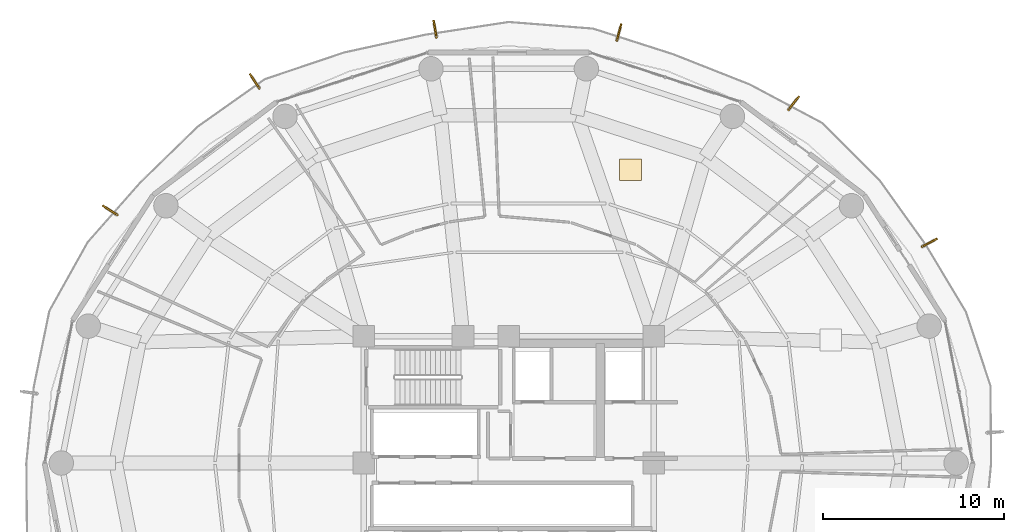
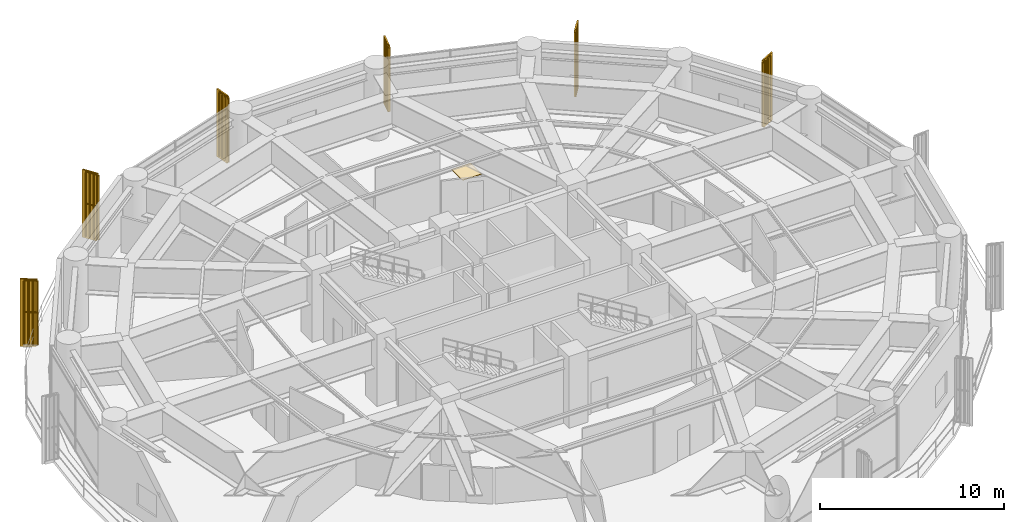
# One storey, part 34 of 34: 6 railings, 6 shading devices, 1 covering.
"""IFC4 building model written with IfcOpenShell, lengths in metres."""

from ifc_helpers import new_model, si_unit, direction, frame, origin, origin_2d, place, context, subcontext, project, spatial, polyline, rectangle, outline, extrude, source, transform, mapped, material, layer, layer_set, type_object, element, save


model = new_model("IFC4")

# Units and contexts
model_context = context("Model", 3, precision=1e-05, world=origin(), true_north=direction((0.0, 1.0)))
body_context = subcontext(model_context, "Body", "Model", "MODEL_VIEW")
ifc_project = project(units=[si_unit("LENGTHUNIT", "METRE"), si_unit("AREAUNIT", "SQUARE_METRE"), si_unit("VOLUMEUNIT", "CUBIC_METRE"), si_unit("PLANEANGLEUNIT", "RADIAN"), si_unit("MASSUNIT", "GRAM", prefix="KILO")], contexts=[model_context])

# Site, building, storey
site_placement = place(None, origin())
site = spatial("IfcSite", under=ifc_project, at=site_placement, CompositionType="ELEMENT")
building_placement = place(site_placement, origin())
building = spatial("IfcBuilding", under=site, at=building_placement, Name="Kelanora Arch Commons", CompositionType="ELEMENT")
storey_placement = place(building_placement, frame((0.0, 0.0, 125.10009765625)))
storey = spatial("IfcBuildingStorey", under=building, at=storey_placement, Name="L32", CompositionType="ELEMENT", Elevation=125.10009765625)

# Railings
ifc_material_1 = material(Name="Anodised bronze vertical shading fin rib assembly")
railing_type = type_object("IfcRailingType", Name="RAIL-FIN-BRZ", PredefinedType="BALUSTRADE", material=ifc_material_1)
railing_1_placement = place(storey_placement, frame((96.8046875, 69.938720703125, -0.02001953125)))
element("IfcRailing", 1, at=railing_1_placement, inside=storey, type_object=railing_type, Name="Sweeping Bronze Vertical Fin Blade L32-00", PredefinedType="BALUSTRADE", context=body_context, shape_type="SweptSolid", body=[
    extrude(outline(polyline([(0.06982421875, 0.0), (0.034912109375, 0.060546875), (-0.034912109375, 0.060546875), (-0.06982421875, 0.0), (-0.034912109375, -0.060546875), (0.034912109375, -0.060546875), (0.06982421875, 0.0)])), frame((0.0, 0.0, 4.2900390625), z_axis=(0.885910072426, 0.463857029239, 0.0), x_axis=(-0.463857029239, 0.885910072426, 0.0)), (0.0, 0.0, 1.0), 0.72998046875),
    extrude(outline(polyline([(0.06982421875, 0.0), (0.034912109375, 0.060546875), (-0.034912109375, 0.060546875), (-0.06982421875, 0.0), (-0.034912109375, -0.060546875), (0.034912109375, -0.060546875), (0.06982421875, 0.0)])), frame((0.0, 0.0, 2.18017578125), z_axis=(0.885910072426, 0.463857029239, 0.0), x_axis=(-0.463857029239, 0.885910072426, 0.0)), (0.0, 0.0, 1.0), 0.72998046875),
    extrude(outline(polyline([(0.080078125, 0.0), (0.0400390625, 0.0693359375), (-0.0400390625, 0.0693359375), (-0.080078125, 0.0), (-0.0400390625, -0.0693359375), (0.0400390625, -0.0693359375), (0.080078125, 0.0)])), origin(), (0.0, 0.0, 1.0), 4.22021484375),
    extrude(outline(polyline([(0.080078125, 0.0), (0.0400390625, 0.0693359375), (-0.0400390625, 0.0693359375), (-0.080078125, 0.0), (-0.0400390625, -0.0693359375), (0.0400390625, -0.0693359375), (0.080078125, 0.0)])), frame((0.215576171875, 0.11279296875, 0.0)), (0.0, 0.0, 1.0), 4.22021484375),
    extrude(outline(polyline([(0.080078125, 0.0), (0.0400390625, 0.0693359375), (-0.0400390625, 0.0693359375), (-0.080078125, 0.0), (-0.0400390625, -0.0693359375), (0.0400390625, -0.0693359375), (0.080078125, 0.0)])), frame((0.43115234375, 0.225830078125, 0.0)), (0.0, 0.0, 1.0), 4.22021484375),
    extrude(outline(polyline([(0.080078125, 0.0), (0.0400390625, 0.0693359375), (-0.0400390625, 0.0693359375), (-0.080078125, 0.0), (-0.0400390625, -0.0693359375), (0.0400390625, -0.0693359375), (0.080078125, 0.0)])), frame((0.646728515625, 0.338623046875, 0.0)), (0.0, 0.0, 1.0), 4.22021484375),
])
railing_2_placement = place(storey_placement, frame((89.437255859375, 77.5, -0.02001953125)))
element("IfcRailing", 2, at=railing_2_placement, inside=storey, type_object=railing_type, Name="Sweeping Bronze Vertical Fin Blade L32-01", PredefinedType="BALUSTRADE", context=body_context, shape_type="SweptSolid", body=[
    extrude(outline(polyline([(0.06982421875, 0.0), (0.034912109375, 0.060546875), (-0.034912109375, 0.060546875), (-0.06982421875, 0.0), (-0.034912109375, -0.060546875), (0.034912109375, -0.060546875), (0.06982421875, 0.0)])), frame((0.0, 0.0, 4.2900390625), z_axis=(0.620608728314, 0.784120402961, 0.0), x_axis=(-0.784120402961, 0.620608728314, 0.0)), (0.0, 0.0, 1.0), 0.730224609375),
    extrude(outline(polyline([(0.06982421875, 0.0), (0.034912109375, 0.060546875), (-0.034912109375, 0.060546875), (-0.06982421875, 0.0), (-0.034912109375, -0.060546875), (0.034912109375, -0.060546875), (0.06982421875, 0.0)])), frame((0.0, 0.0, 2.18017578125), z_axis=(0.620608728314, 0.784120402961, 0.0), x_axis=(-0.784120402961, 0.620608728314, 0.0)), (0.0, 0.0, 1.0), 0.730224609375),
    extrude(outline(polyline([(0.080078125, 0.0), (0.0400390625, 0.0693359375), (-0.0400390625, 0.0693359375), (-0.080078125, 0.0), (-0.0400390625, -0.0693359375), (0.0400390625, -0.0693359375), (0.080078125, 0.0)])), origin(), (0.0, 0.0, 1.0), 4.22021484375),
    extrude(outline(polyline([(0.080078125, 0.0), (0.0400390625, 0.0693359375), (-0.0400390625, 0.0693359375), (-0.080078125, 0.0), (-0.0400390625, -0.0693359375), (0.0400390625, -0.0693359375), (0.080078125, 0.0)])), frame((0.151123046875, 0.19091796875, 0.0)), (0.0, 0.0, 1.0), 4.22021484375),
    extrude(outline(polyline([(0.080078125, 0.0), (0.0400390625, 0.0693359375), (-0.0400390625, 0.0693359375), (-0.080078125, 0.0), (-0.0400390625, -0.0693359375), (0.0400390625, -0.0693359375), (0.080078125, 0.0)])), frame((0.302001953125, 0.381591796875, 0.0)), (0.0, 0.0, 1.0), 4.22021484375),
    extrude(outline(polyline([(0.080078125, 0.0), (0.0400390625, 0.0693359375), (-0.0400390625, 0.0693359375), (-0.080078125, 0.0), (-0.0400390625, -0.0693359375), (0.0400390625, -0.0693359375), (0.080078125, 0.0)])), frame((0.453125, 0.572509765625, 0.0)), (0.0, 0.0, 1.0), 4.22021484375),
])
railing_3_placement = place(storey_placement, frame((79.97119140625, 81.312255859375, -0.02001953125)))
element("IfcRailing", 3, at=railing_3_placement, inside=storey, type_object=railing_type, Name="Sweeping Bronze Vertical Fin Blade L32-02", PredefinedType="BALUSTRADE", context=body_context, shape_type="SweptSolid", body=[
    extrude(outline(polyline([(0.06982421875, 0.0), (0.034912109375, 0.060546875), (-0.034912109375, 0.060546875), (-0.06982421875, 0.0), (-0.034912109375, -0.060546875), (0.034912109375, -0.060546875), (0.06982421875, 0.0)])), frame((0.0, 0.0, 4.2900390625), z_axis=(0.248198294802, 0.968709247637, 0.0), x_axis=(-0.968709247637, 0.248198294802, 0.0)), (0.0, 0.0, 1.0), 0.72998046875),
    extrude(outline(polyline([(0.06982421875, 0.0), (0.034912109375, 0.060546875), (-0.034912109375, 0.060546875), (-0.06982421875, 0.0), (-0.034912109375, -0.060546875), (0.034912109375, -0.060546875), (0.06982421875, 0.0)])), frame((0.0, 0.0, 2.18017578125), z_axis=(0.248198294802, 0.968709247637, 0.0), x_axis=(-0.968709247637, 0.248198294802, 0.0)), (0.0, 0.0, 1.0), 0.72998046875),
    extrude(outline(polyline([(0.080078125, 0.0), (0.0400390625, 0.0693359375), (-0.0400390625, 0.0693359375), (-0.080078125, 0.0), (-0.0400390625, -0.0693359375), (0.0400390625, -0.0693359375), (0.080078125, 0.0)])), origin(), (0.0, 0.0, 1.0), 4.22021484375),
    extrude(outline(polyline([(0.080078125, 0.0), (0.0400390625, 0.0693359375), (-0.0400390625, 0.0693359375), (-0.080078125, 0.0), (-0.0400390625, -0.0693359375), (0.0400390625, -0.0693359375), (0.080078125, 0.0)])), frame((0.060302734375, 0.235595703125, 0.0)), (0.0, 0.0, 1.0), 4.22021484375),
    extrude(outline(polyline([(0.080078125, 0.0), (0.0400390625, 0.0693359375), (-0.0400390625, 0.0693359375), (-0.080078125, 0.0), (-0.0400390625, -0.0693359375), (0.0400390625, -0.0693359375), (0.080078125, 0.0)])), frame((0.120849609375, 0.471435546875, 0.0)), (0.0, 0.0, 1.0), 4.22021484375),
    extrude(outline(polyline([(0.080078125, 0.0), (0.0400390625, 0.0693359375), (-0.0400390625, 0.0693359375), (-0.080078125, 0.0), (-0.0400390625, -0.0693359375), (0.0400390625, -0.0693359375), (0.080078125, 0.0)])), frame((0.18115234375, 0.70703125, 0.0)), (0.0, 0.0, 1.0), 4.22021484375),
])
railing_4_placement = place(storey_placement, frame((70.011474609375, 81.4990234375, -0.02001953125)))
element("IfcRailing", 4, at=railing_4_placement, inside=storey, type_object=railing_type, Name="Sweeping Bronze Vertical Fin Blade L32-03", PredefinedType="BALUSTRADE", context=body_context, shape_type="SweptSolid", body=[
    extrude(outline(polyline([(0.06982421875, 0.0), (0.034912109375, 0.060546875), (-0.034912109375, 0.060546875), (-0.06982421875, 0.0), (-0.034912109375, -0.060546875), (0.034912109375, -0.060546875), (0.06982421875, 0.0)])), frame((0.0, 0.0, 4.2900390625), z_axis=(-0.167163312983, 0.985929219971, 0.0), x_axis=(-0.985929219971, -0.167163312983, 0.0)), (0.0, 0.0, 1.0), 0.730224609375),
    extrude(outline(polyline([(0.06982421875, 0.0), (0.034912109375, 0.060546875), (-0.034912109375, 0.060546875), (-0.06982421875, 0.0), (-0.034912109375, -0.060546875), (0.034912109375, -0.060546875), (0.06982421875, 0.0)])), frame((0.0, 0.0, 2.18017578125), z_axis=(-0.167163312983, 0.985929219971, 0.0), x_axis=(-0.985929219971, -0.167163312983, 0.0)), (0.0, 0.0, 1.0), 0.730224609375),
    extrude(outline(polyline([(0.080078125, 0.0), (0.0400390625, 0.0693359375), (-0.0400390625, 0.0693359375), (-0.080078125, 0.0), (-0.0400390625, -0.0693359375), (0.0400390625, -0.0693359375), (0.080078125, 0.0)])), origin(), (0.0, 0.0, 1.0), 4.22021484375),
    extrude(outline(polyline([(0.080078125, 0.0), (0.0400390625, 0.0693359375), (-0.0400390625, 0.0693359375), (-0.080078125, 0.0), (-0.0400390625, -0.0693359375), (0.0400390625, -0.0693359375), (0.080078125, 0.0)])), frame((-0.040771484375, 0.239990234375, 0.0)), (0.0, 0.0, 1.0), 4.22021484375),
    extrude(outline(polyline([(0.080078125, 0.0), (0.0400390625, 0.0693359375), (-0.0400390625, 0.0693359375), (-0.080078125, 0.0), (-0.0400390625, -0.0693359375), (0.0400390625, -0.0693359375), (0.080078125, 0.0)])), frame((-0.081298828125, 0.47998046875, 0.0)), (0.0, 0.0, 1.0), 4.22021484375),
    extrude(outline(polyline([(0.080078125, 0.0), (0.0400390625, 0.0693359375), (-0.0400390625, 0.0693359375), (-0.080078125, 0.0), (-0.0400390625, -0.0693359375), (0.0400390625, -0.0693359375), (0.080078125, 0.0)])), frame((-0.1220703125, 0.719970703125, 0.0)), (0.0, 0.0, 1.0), 4.22021484375),
])
railing_5_placement = place(storey_placement, frame((60.238525390625, 78.68701171875, -0.02001953125)))
element("IfcRailing", 5, at=railing_5_placement, inside=storey, type_object=railing_type, Name="Sweeping Bronze Vertical Fin Blade L32-04", PredefinedType="BALUSTRADE", context=body_context, shape_type="SweptSolid", body=[
    extrude(outline(polyline([(0.06982421875, 0.0), (0.034912109375, 0.060546875), (-0.034912109375, 0.060546875), (-0.06982421875, 0.0), (-0.034912109375, -0.060546875), (0.034912109375, -0.060546875), (0.06982421875, 0.0)])), frame((0.0, 0.0, 4.2900390625), z_axis=(-0.554159837131, 0.832410280397, 0.0), x_axis=(-0.832410280397, -0.554159837131, 0.0)), (0.0, 0.0, 1.0), 0.72998046875),
    extrude(outline(polyline([(0.06982421875, 0.0), (0.034912109375, 0.060546875), (-0.034912109375, 0.060546875), (-0.06982421875, 0.0), (-0.034912109375, -0.060546875), (0.034912109375, -0.060546875), (0.06982421875, 0.0)])), frame((0.0, 0.0, 2.18017578125), z_axis=(-0.554159837131, 0.832410280397, 0.0), x_axis=(-0.832410280397, -0.554159837131, 0.0)), (0.0, 0.0, 1.0), 0.72998046875),
    extrude(outline(polyline([(0.080078125, 0.0), (0.0400390625, 0.0693359375), (-0.0400390625, 0.0693359375), (-0.080078125, 0.0), (-0.0400390625, -0.0693359375), (0.0400390625, -0.0693359375), (0.080078125, 0.0)])), origin(), (0.0, 0.0, 1.0), 4.22021484375),
    extrude(outline(polyline([(0.080078125, 0.0), (0.0400390625, 0.0693359375), (-0.0400390625, 0.0693359375), (-0.080078125, 0.0), (-0.0400390625, -0.0693359375), (0.0400390625, -0.0693359375), (0.080078125, 0.0)])), frame((-0.134765625, 0.20263671875, 0.0)), (0.0, 0.0, 1.0), 4.22021484375),
    extrude(outline(polyline([(0.080078125, 0.0), (0.0400390625, 0.0693359375), (-0.0400390625, 0.0693359375), (-0.080078125, 0.0), (-0.0400390625, -0.0693359375), (0.0400390625, -0.0693359375), (0.080078125, 0.0)])), frame((-0.269775390625, 0.405029296875, 0.0)), (0.0, 0.0, 1.0), 4.22021484375),
    extrude(outline(polyline([(0.080078125, 0.0), (0.0400390625, 0.0693359375), (-0.0400390625, 0.0693359375), (-0.080078125, 0.0), (-0.0400390625, -0.0693359375), (0.0400390625, -0.0693359375), (0.080078125, 0.0)])), frame((-0.404541015625, 0.607666015625, 0.0)), (0.0, 0.0, 1.0), 4.22021484375),
])
railing_6_placement = place(storey_placement, frame((52.39697265625, 71.6923828125, -0.02001953125)))
element("IfcRailing", 6, at=railing_6_placement, inside=storey, type_object=railing_type, Name="Sweeping Bronze Vertical Fin Blade L32-05", PredefinedType="BALUSTRADE", context=body_context, shape_type="SweptSolid", body=[
    extrude(outline(polyline([(0.06982421875, 0.0), (0.034912109375, 0.060546875), (-0.034912109375, 0.060546875), (-0.06982421875, 0.0), (-0.034912109375, -0.060546875), (0.034912109375, -0.060546875), (0.06982421875, 0.0)])), frame((0.0, 0.0, 4.2900390625), z_axis=(-0.84478883958, 0.535099819212, 0.0), x_axis=(-0.535099819212, -0.84478883958, 0.0)), (0.0, 0.0, 1.0), 0.72998046875),
    extrude(outline(polyline([(0.06982421875, 0.0), (0.034912109375, 0.060546875), (-0.034912109375, 0.060546875), (-0.06982421875, 0.0), (-0.034912109375, -0.060546875), (0.034912109375, -0.060546875), (0.06982421875, 0.0)])), frame((0.0, 0.0, 2.18017578125), z_axis=(-0.84478883958, 0.535099819212, 0.0), x_axis=(-0.535099819212, -0.84478883958, 0.0)), (0.0, 0.0, 1.0), 0.72998046875),
    extrude(outline(polyline([(0.080078125, 0.0), (0.0400390625, 0.0693359375), (-0.0400390625, 0.0693359375), (-0.080078125, 0.0), (-0.0400390625, -0.0693359375), (0.0400390625, -0.0693359375), (0.080078125, 0.0)])), origin(), (0.0, 0.0, 1.0), 4.22021484375),
    extrude(outline(polyline([(0.080078125, 0.0), (0.0400390625, 0.0693359375), (-0.0400390625, 0.0693359375), (-0.080078125, 0.0), (-0.0400390625, -0.0693359375), (0.0400390625, -0.0693359375), (0.080078125, 0.0)])), frame((-0.20556640625, 0.130126953125, 0.0)), (0.0, 0.0, 1.0), 4.22021484375),
    extrude(outline(polyline([(0.080078125, 0.0), (0.0400390625, 0.0693359375), (-0.0400390625, 0.0693359375), (-0.080078125, 0.0), (-0.0400390625, -0.0693359375), (0.0400390625, -0.0693359375), (0.080078125, 0.0)])), frame((-0.4111328125, 0.260498046875, 0.0)), (0.0, 0.0, 1.0), 4.22021484375),
    extrude(outline(polyline([(0.080078125, 0.0), (0.0400390625, 0.0693359375), (-0.0400390625, 0.0693359375), (-0.080078125, 0.0), (-0.0400390625, -0.0693359375), (0.0400390625, -0.0693359375), (0.080078125, 0.0)])), frame((-0.61669921875, 0.390625, 0.0)), (0.0, 0.0, 1.0), 4.22021484375),
])

# Shading devices
ifc_material_2 = material(Name="Terracotta ceramic-clad extruded aluminium fin", Category="masonry")
shading_device_type = type_object("IfcShadingDeviceType", Name="SHD-FIN-FLARE", PredefinedType="USERDEFINED", material=ifc_material_2)
shared_shape_1 = source(origin(), body_context, "Body", "SweptSolid", [
    extrude(rectangle(XDim=0.8798828125, YDim=0.090087890625, at=origin_2d()), origin(), (0.0, 0.0, 1.0), 4.47998046875),
])
for number, where, z_axis, x_axis, name in (
    (7, (97.252197265625, 70.173095703125, -0.14013671875), (0.0, 0.0, 1.0), (0.885960876527, 0.4637599867, 0.0), "Sweeping Terracotta Fin L32-00"),
    (8, (89.750732421875, 77.89599609375, -0.14013671875), (0.0, 0.0, 1.0), (0.620737354217, 0.784018582101, 0.0), "Sweeping Terracotta Fin L32-01"),
    (9, (80.0966796875, 81.801513671875, -0.14013671875), (0.0, 0.0, 1.0), (0.248182704141, 0.968713242072, 0.0), "Sweeping Terracotta Fin L32-02"),
    (10, (69.927001953125, 81.9970703125, -0.14013671875), (0.0, 0.0, 1.0), (-0.16728499015, 0.985908582005, 0.0), "Sweeping Terracotta Fin L32-03"),
    (11, (59.958740234375, 79.107421875, -0.14013671875), (0.0, 0.0, 1.0), (-0.553827589908, 0.832631371411, 0.0), "Sweeping Terracotta Fin L32-04"),
    (12, (51.97021484375, 71.962646484375, -0.14013671875), (0.0, 0.0, 1.0), (-0.844608368004, 0.535384632481, 0.0), "Sweeping Terracotta Fin L32-05"),
):
    element("IfcShadingDevice", number, at=place(storey_placement, frame(where, z_axis=z_axis, x_axis=x_axis)), inside=storey, type_object=shading_device_type, Name=name, ObjectType="FIN", PredefinedType="USERDEFINED", context=body_context, shape_type="MappedRepresentation", body=[
        mapped(shared_shape_1, transform((0.0, 0.0, 0.0), scale=1.0)),
    ])

# Covering
ifc_material_3 = material(Name="Polished local granite terrazzo flooring", Category="masonry")
ifc_layer = layer(ifc_material_3, 0.030029296875)
ifc_layer_set = layer_set([ifc_layer], Name="Polished local granite terrazzo flooring")
covering_type = type_object("IfcCoveringType", Name="COV-FLR-TER", PredefinedType="FLOORING", material=ifc_layer_set)
shared_shape_2 = source(origin(), body_context, "Body", "SweptSolid", [
    extrude(rectangle(XDim=1.199951171875, YDim=1.199951171875, at=origin_2d()), origin(), (0.0, 0.0, 1.0), 0.030029296875),
])
covering_placement = place(storey_placement, frame((80.720947265625, 74.18212890625, 0.0), z_axis=(0.0, 0.0, 1.0), x_axis=(1.0, 0.0, 0.0)))
element("IfcCovering", 13, at=covering_placement, inside=storey, type_object=covering_type, Name="Maker and Robotics Workshop L32-2 Terrazzo Finish", PredefinedType="FLOORING", context=body_context, shape_type="MappedRepresentation", body=[
    mapped(shared_shape_2, transform((0.0, 0.0, 0.0), scale=1.0)),
])

save(model, "model.ifc")
